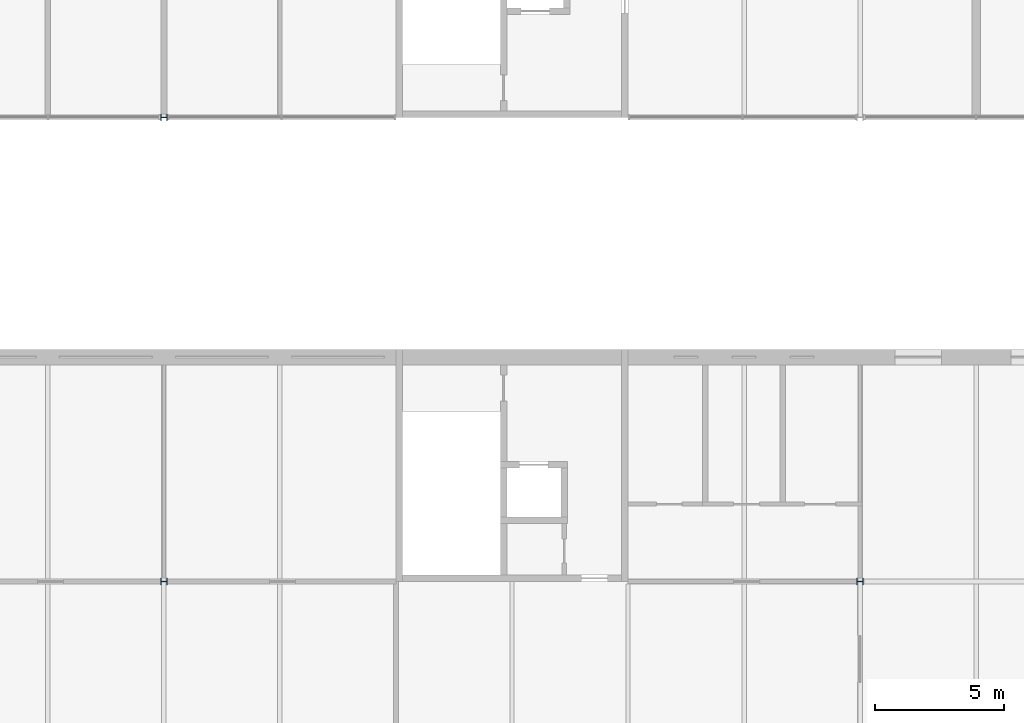
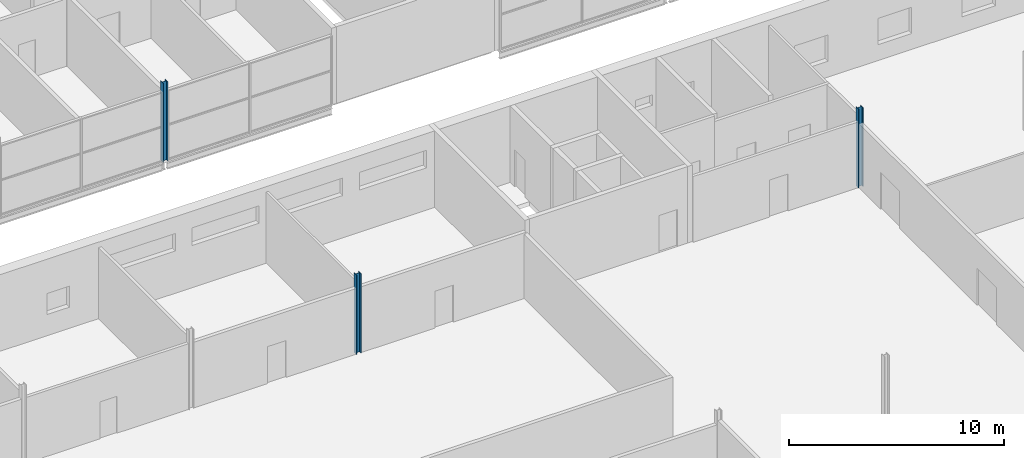
# One storey, part 16 of 138: 3 columns.
"""IFC4 building model written with IfcOpenShell, lengths in metres."""

from ifc_helpers import new_model, si_unit, direction, frame, origin, origin_2d, place, context, subcontext, project, spatial, i_section, extrude, material, material_profile, profile_set, type_object, element, save


model = new_model("IFC4")

# Units and contexts
model_context = context("Model", 3, precision=1e-05, world=origin(), true_north=direction((0.0, 1.0)))
body_context = subcontext(model_context, "Body", "Model", "MODEL_VIEW")
ifc_project = project(units=[si_unit("LENGTHUNIT", "METRE"), si_unit("AREAUNIT", "SQUARE_METRE"), si_unit("VOLUMEUNIT", "CUBIC_METRE"), si_unit("PLANEANGLEUNIT", "RADIAN"), si_unit("MASSUNIT", "GRAM", prefix="KILO")], contexts=[model_context])

# Site, building, storey
site_placement = place(None, origin())
site = spatial("IfcSite", under=ifc_project, at=site_placement, CompositionType="ELEMENT")
building_placement = place(site_placement, origin())
building = spatial("IfcBuilding", under=site, at=building_placement, Name="Corbel Yard City Hall", CompositionType="ELEMENT")
storey_placement = place(building_placement, frame((0.0, 0.0, 10.5)))
storey = spatial("IfcBuildingStorey", under=building, at=storey_placement, Name="L02", CompositionType="ELEMENT", Elevation=10.5)

# Columns
ifc_material = material(Name="Steel Grade 300 (300 MPa yield)", Category="steel")
ifc_material_profile_1 = material_profile(ifc_material, i_section(OverallWidth=0.25390625, OverallDepth=0.25390625, WebThickness=0.008544921875, FlangeThickness=0.01416015625, at=origin_2d()), Name="250UC72.9")
ifc_profile_set_1 = profile_set([ifc_material_profile_1], Name="Steel Grade 300 (300 MPa yield)")
column_type_1 = type_object("IfcColumnType", Name="Column 250UC72.9", PredefinedType="COLUMN", material=ifc_profile_set_1)
column_placement = place(storey_placement, frame((72.0, 90.0, 0.0), z_axis=(0.0, 0.0, 1.0), x_axis=(0.0, 1.0, 0.0)))
element("IfcColumn", 1, at=column_placement, inside=storey, type_object=column_type_1, Name="Column 250UC72.9 K/9 L02", PredefinedType="COLUMN", context=body_context, shape_type="SweptSolid", body=[
    extrude(i_section(OverallWidth=0.25390625, OverallDepth=0.25390625, WebThickness=0.008544921875, FlangeThickness=0.01416015625, at=origin_2d()), origin(), (0.0, 0.0, 1.0), 4.5),
])
ifc_material_profile_2 = material_profile(ifc_material, i_section(OverallWidth=0.256103515625, OverallDepth=0.260009765625, WebThickness=0.010498046875, FlangeThickness=0.017333984375, at=origin_2d()), Name="250UC89.5")
ifc_profile_set_2 = profile_set([ifc_material_profile_2], Name="Steel Grade 300 (300 MPa yield)")
column_type_2 = type_object("IfcColumnType", Name="Column 250UC89.5", PredefinedType="COLUMN", material=ifc_profile_set_2)
for number, where, z_axis, x_axis, name in (
    (2, (72.0, 72.0, 0.0), (0.0, 0.0, 1.0), (0.0, 1.0, 0.0), "Column 250UC89.5 I/9 L02"),
    (3, (99.0, 72.0, 0.0), (0.0, 0.0, 1.0), (0.0, 1.0, 0.0), "Column 250UC89.5 I/12 L02"),
):
    element("IfcColumn", number, at=place(storey_placement, frame(where, z_axis=z_axis, x_axis=x_axis)), inside=storey, type_object=column_type_2, Name=name, PredefinedType="COLUMN", context=body_context, shape_type="SweptSolid", body=[
        extrude(i_section(OverallWidth=0.256103515625, OverallDepth=0.260009765625, WebThickness=0.010498046875, FlangeThickness=0.017333984375, at=origin_2d()), origin(), (0.0, 0.0, 1.0), 4.5),
    ])

save(model, "model.ifc")
